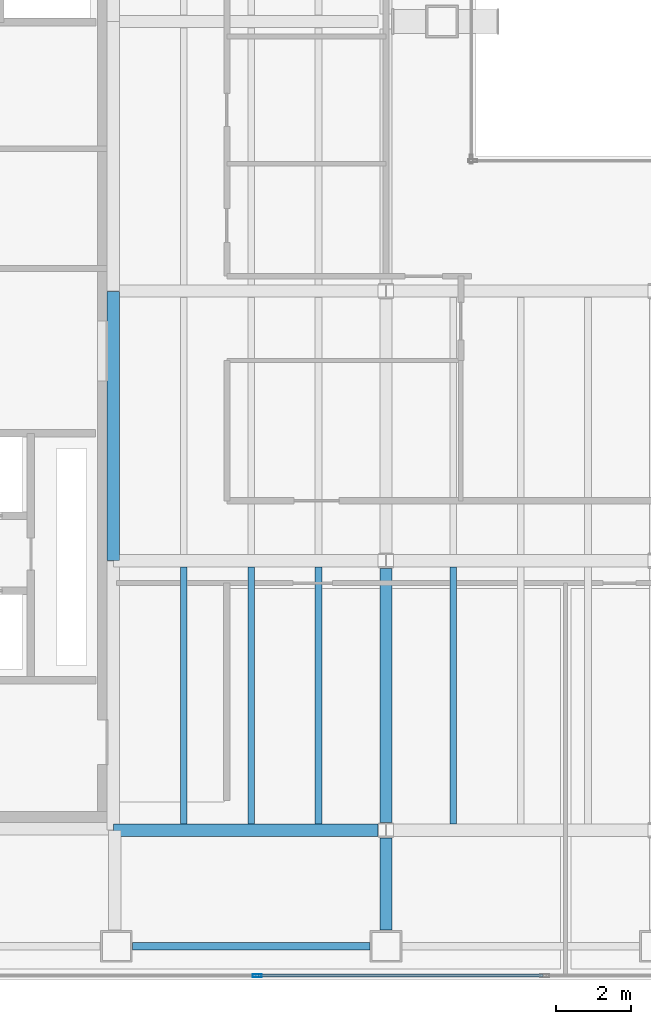
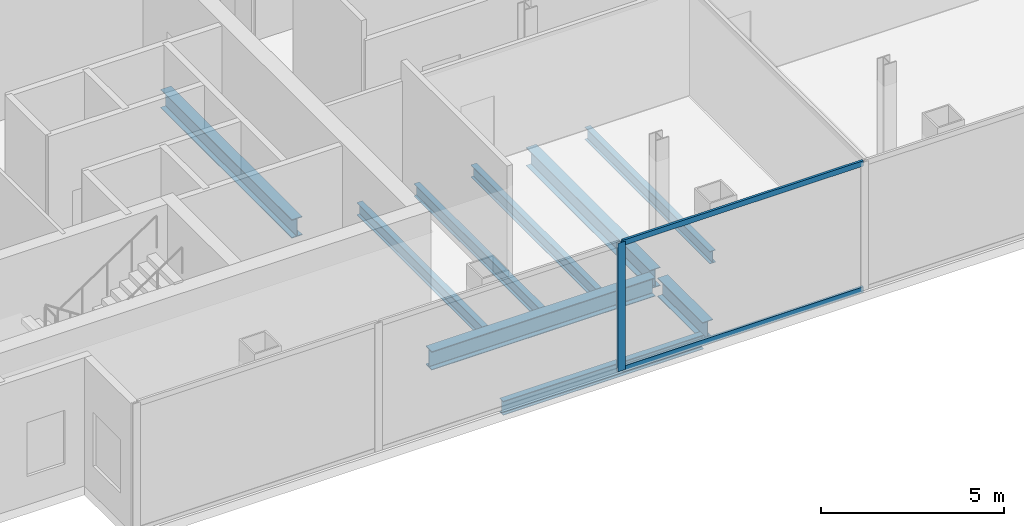
# One storey, part 3 of 20: 9 beams, 3 members, 1 element without a shape of its own.
"""IFC4 building model written with IfcOpenShell, lengths in metres."""

from ifc_helpers import new_model, si_unit, direction, frame, origin, origin_2d, place, context, subcontext, project, spatial, hollow_rectangle, i_section, extrude, material, material_profile, profile_set, type_object, element, aggregate, save


model = new_model("IFC4")

# Units and contexts
model_context = context("Model", 3, precision=1e-05, world=origin(), true_north=direction((0.0, 1.0)))
body_context = subcontext(model_context, "Body", "Model", "MODEL_VIEW")
ifc_project = project(units=[si_unit("LENGTHUNIT", "METRE"), si_unit("AREAUNIT", "SQUARE_METRE"), si_unit("VOLUMEUNIT", "CUBIC_METRE"), si_unit("PLANEANGLEUNIT", "RADIAN"), si_unit("MASSUNIT", "GRAM", prefix="KILO")], contexts=[model_context])

# Site, building, storey
site_placement = place(None, origin())
site = spatial("IfcSite", under=ifc_project, at=site_placement, CompositionType="ELEMENT")
building_placement = place(site_placement, origin())
building = spatial("IfcBuilding", under=site, at=building_placement, Name="Cobrela Telecom Tower", CompositionType="ELEMENT")
storey_placement = place(building_placement, frame((0.0, 0.0, 168.699951171875)))
storey = spatial("IfcBuildingStorey", under=building, at=storey_placement, Name="L42", CompositionType="ELEMENT", Elevation=168.699951171875)

# Beams
ifc_material_1 = material(Name="Steel ASTM A992 Grade 50", Category="steel")
ifc_material_profile_1 = material_profile(ifc_material_1, i_section(OverallWidth=0.327880859375, OverallDepth=0.6220703125, WebThickness=0.015380859375, FlangeThickness=0.0244140625, FilletRadius=0.014892578125, at=origin_2d()), Name="W24X131")
ifc_profile_set_1 = profile_set([ifc_material_profile_1], Name="Steel ASTM A992 Grade 50")
beam_type_1 = type_object("IfcBeamType", Name="BM-GIRD-06", PredefinedType="USERDEFINED", material=ifc_profile_set_1)
beam_1_placement = place(storey_placement, frame((14.324951171875, 7.199951171875, -0.61083984375), z_axis=(1.0, 0.0, 0.0), x_axis=(0.0, 1.0, 0.0)))
element("IfcBeam", 1, at=beam_1_placement, inside=storey, type_object=beam_type_1, Name="L42 Primary Girder X07", ObjectType="GIRDER", PredefinedType="USERDEFINED", context=body_context, shape_type="SweptSolid", body=[
    extrude(i_section(OverallWidth=0.327880859375, OverallDepth=0.6220703125, WebThickness=0.015380859375, FlangeThickness=0.0244140625, FilletRadius=0.014892578125, at=origin_2d()), origin(), (0.0, 0.0, 1.0), 7.070556640625),
])
beam_2_placement = place(storey_placement, frame((14.320068359375, 14.405029296875, -0.61083984375), z_axis=(0.0, 1.0, 0.0), x_axis=(-1.0, 0.0, 0.0)))
element("IfcBeam", 2, at=beam_2_placement, inside=storey, type_object=beam_type_1, Name="L42 Primary Girder Y27", ObjectType="GIRDER", PredefinedType="USERDEFINED", context=body_context, shape_type="SweptSolid", body=[
    extrude(i_section(OverallWidth=0.327880859375, OverallDepth=0.6220703125, WebThickness=0.015380859375, FlangeThickness=0.0244140625, FilletRadius=0.014892578125, at=origin_2d()), origin(), (0.0, 0.0, 1.0), 7.18994140625),
])
beam_3_placement = place(storey_placement, frame((21.60009765625, 4.530029296875, -0.61083984375), z_axis=(0.0, 1.0, 0.0), x_axis=(-1.0, 0.0, 0.0)))
element("IfcBeam", 3, at=beam_3_placement, inside=storey, type_object=beam_type_1, Name="L42 Primary Girder Y30", ObjectType="GIRDER", PredefinedType="USERDEFINED", context=body_context, shape_type="SweptSolid", body=[
    extrude(i_section(OverallWidth=0.327880859375, OverallDepth=0.6220703125, WebThickness=0.015380859375, FlangeThickness=0.0244140625, FilletRadius=0.014892578125, at=origin_2d()), origin(), (0.0, 0.0, 1.0), 2.465576171875),
])
beam_4_placement = place(storey_placement, frame((21.60009765625, 7.404541015625, -0.61083984375), z_axis=(0.0, 1.0, 0.0), x_axis=(-1.0, 0.0, 0.0)))
element("IfcBeam", 4, at=beam_4_placement, inside=storey, type_object=beam_type_1, Name="L42 Primary Girder Y31", ObjectType="GIRDER", PredefinedType="USERDEFINED", context=body_context, shape_type="SweptSolid", body=[
    extrude(i_section(OverallWidth=0.327880859375, OverallDepth=0.6220703125, WebThickness=0.015380859375, FlangeThickness=0.0244140625, FilletRadius=0.014892578125, at=origin_2d()), origin(), (0.0, 0.0, 1.0), 6.791015625),
])
ifc_material_profile_2 = material_profile(ifc_material_1, i_section(OverallWidth=0.179931640625, OverallDepth=0.4169921875, WebThickness=0.010986328125, FlangeThickness=0.01806640625, FilletRadius=0.011962890625, at=origin_2d()), Name="W16X57")
ifc_profile_set_2 = profile_set([ifc_material_profile_2], Name="Steel ASTM A992 Grade 50")
beam_type_2 = type_object("IfcBeamType", Name="BM-JOIST-04", PredefinedType="JOIST", material=ifc_profile_set_2)
for number, where, z_axis, x_axis, name in (
    (5, (16.199951171875, 7.368896484375, -0.508544921875), (0.0, 1.0, 0.0), (-1.0, 0.0, 0.0), "L42 Secondary Composite Floor Beam J04"),
    (6, (18.0, 7.368896484375, -0.508544921875), (0.0, 1.0, 0.0), (-1.0, 0.0, 0.0), "L42 Secondary Composite Floor Beam J08"),
    (7, (19.800048828125, 7.368896484375, -0.508544921875), (0.0, 1.0, 0.0), (-1.0, 0.0, 0.0), "L42 Secondary Composite Floor Beam J12"),
    (8, (23.39990234375, 7.368896484375, -0.508544921875), (0.0, 1.0, 0.0), (-1.0, 0.0, 0.0), "L42 Secondary Composite Floor Beam J16"),
):
    element("IfcBeam", number, at=place(storey_placement, frame(where, z_axis=z_axis, x_axis=x_axis)), inside=storey, type_object=beam_type_2, Name=name, PredefinedType="JOIST", context=body_context, shape_type="SweptSolid", body=[
        extrude(i_section(OverallWidth=0.179931640625, OverallDepth=0.4169921875, WebThickness=0.010986328125, FlangeThickness=0.01806640625, FilletRadius=0.011962890625, at=origin_2d()), origin(), (0.0, 0.0, 1.0), 6.862060546875),
    ])
ifc_material_profile_3 = material_profile(ifc_material_1, i_section(OverallWidth=0.193115234375, OverallDepth=0.467041015625, WebThickness=0.011474609375, FlangeThickness=0.01904296875, FilletRadius=0.012939453125, at=origin_2d()), Name="W18X65")
ifc_profile_set_3 = profile_set([ifc_material_profile_3], Name="Steel ASTM A992 Grade 50")
beam_type_3 = type_object("IfcBeamType", Name="BM-SPAND-05", PredefinedType="SPANDREL", material=ifc_profile_set_3)
beam_5_placement = place(storey_placement, frame((14.830078125, 4.10009765625, -0.533447265625), z_axis=(1.0, 0.0, 0.0), x_axis=(0.0, 1.0, 0.0)))
element("IfcBeam", 9, at=beam_5_placement, inside=storey, type_object=beam_type_3, Name="L42 Perimeter Spandrel X02", PredefinedType="SPANDREL", context=body_context, shape_type="SweptSolid", body=[
    extrude(i_section(OverallWidth=0.193115234375, OverallDepth=0.467041015625, WebThickness=0.011474609375, FlangeThickness=0.01904296875, FilletRadius=0.012939453125, at=origin_2d()), origin(), (0.0, 0.0, 1.0), 6.33984375),
])

# Curtain wall, members
ifc_material_2 = material(Name="Anodized Bronze Aluminium 6063-T6", Category="aluminium")
curtain_wall_type = type_object("IfcCurtainWallType", Name="CW-SYS-SKY", PredefinedType="USERDEFINED", material=ifc_material_2)
curtain_wall_placement = place(storey_placement, origin())
curtain_wall = element("IfcCurtainWall", 10, at=curtain_wall_placement, inside=storey, type_object=curtain_wall_type, Name="L42 Unitised Bronze Curtain Wall 17", ObjectType="UNITISED CURTAIN WALL", PredefinedType="USERDEFINED")
ifc_material_profile_4 = material_profile(ifc_material_2, hollow_rectangle(XDim=0.080078125, YDim=0.239990234375, WallThickness=0.0048828125, at=origin_2d()), Name="ALU 80x240x5")
ifc_profile_set_4 = profile_set([ifc_material_profile_4], Name="Anodized Bronze Aluminium 6063-T6")
member_type_1 = type_object("IfcMemberType", Name="CW-SYS-SKY-MUL", PredefinedType="MULLION", material=ifc_profile_set_4)
member_1_placement = place(storey_placement, frame((18.157958984375, 3.320068359375, 0.0), z_axis=(0.0, 0.0, 1.0), x_axis=(0.0, -1.0, 0.0)))
member_1 = element("IfcMember", 11, at=member_1_placement, type_object=member_type_1, Name="CW-SKY mullion 4", PredefinedType="MULLION", context=body_context, shape_type="SweptSolid", body=[
    extrude(hollow_rectangle(XDim=0.080078125, YDim=0.239990234375, WallThickness=0.0048828125, at=origin_2d()), origin(), (0.0, 0.0, 1.0), 4.2900390625),
])
ifc_material_profile_5 = material_profile(ifc_material_2, hollow_rectangle(XDim=0.074951171875, YDim=0.179931640625, WallThickness=0.00390625, at=origin_2d()), Name="ALU 75x180x4")
ifc_profile_set_5 = profile_set([ifc_material_profile_5], Name="Anodized Bronze Aluminium 6063-T6")
member_type_2 = type_object("IfcMemberType", Name="CW-SYS-SKY-TRN", PredefinedType="USERDEFINED", material=ifc_profile_set_5)
member_2_placement = place(storey_placement, frame((25.802001953125, 3.320068359375, 0.03759765625), z_axis=(-1.0, 0.0, 0.0), x_axis=(0.0, -1.0, 0.0)))
member_2 = element("IfcMember", 12, at=member_2_placement, type_object=member_type_2, Name="CW-SKY transom 3.1", ObjectType="TRANSOM", PredefinedType="USERDEFINED", context=body_context, shape_type="SweptSolid", body=[
    extrude(hollow_rectangle(XDim=0.074951171875, YDim=0.179931640625, WallThickness=0.00390625, at=origin_2d()), origin(), (0.0, 0.0, 1.0), 7.60400390625),
])
member_3_placement = place(storey_placement, frame((25.802001953125, 3.320068359375, 4.25244140625), z_axis=(-1.0, 0.0, 0.0), x_axis=(0.0, -1.0, 0.0)))
member_3 = element("IfcMember", 13, at=member_3_placement, type_object=member_type_2, Name="CW-SKY transom 3.2", ObjectType="TRANSOM", PredefinedType="USERDEFINED", context=body_context, shape_type="SweptSolid", body=[
    extrude(hollow_rectangle(XDim=0.074951171875, YDim=0.179931640625, WallThickness=0.00390625, at=origin_2d()), origin(), (0.0, 0.0, 1.0), 7.60400390625),
])
aggregate(curtain_wall, [member_1, member_2, member_3])

save(model, "model.ifc")
